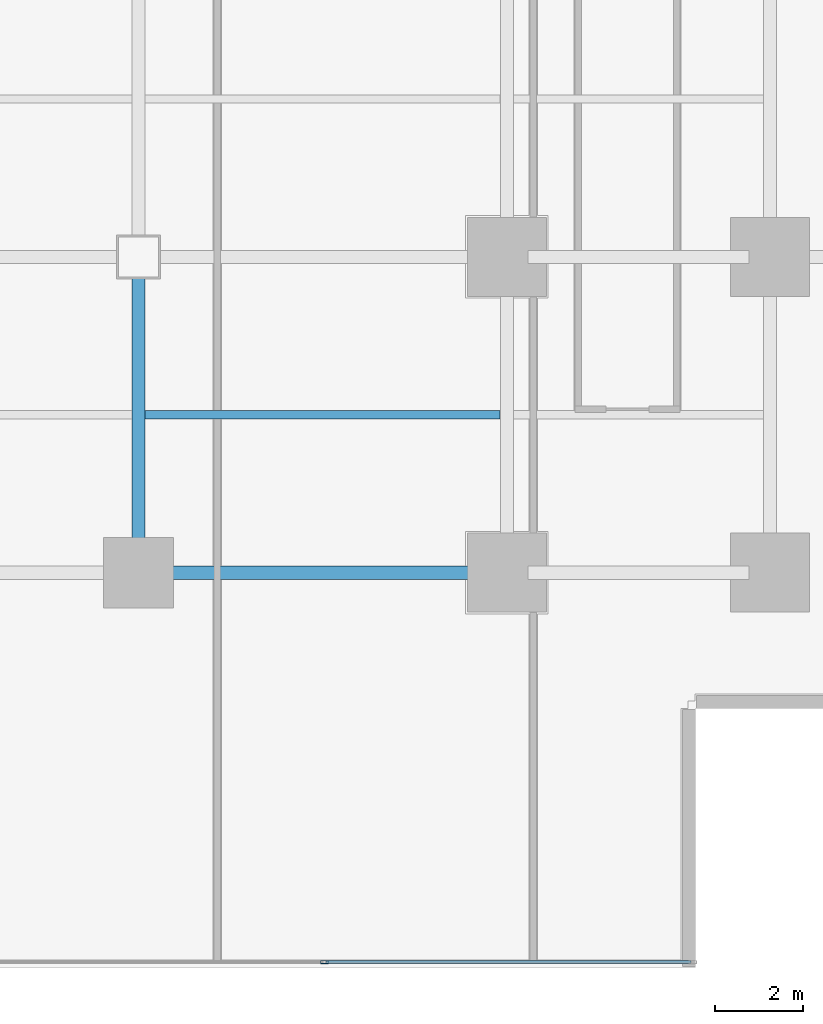
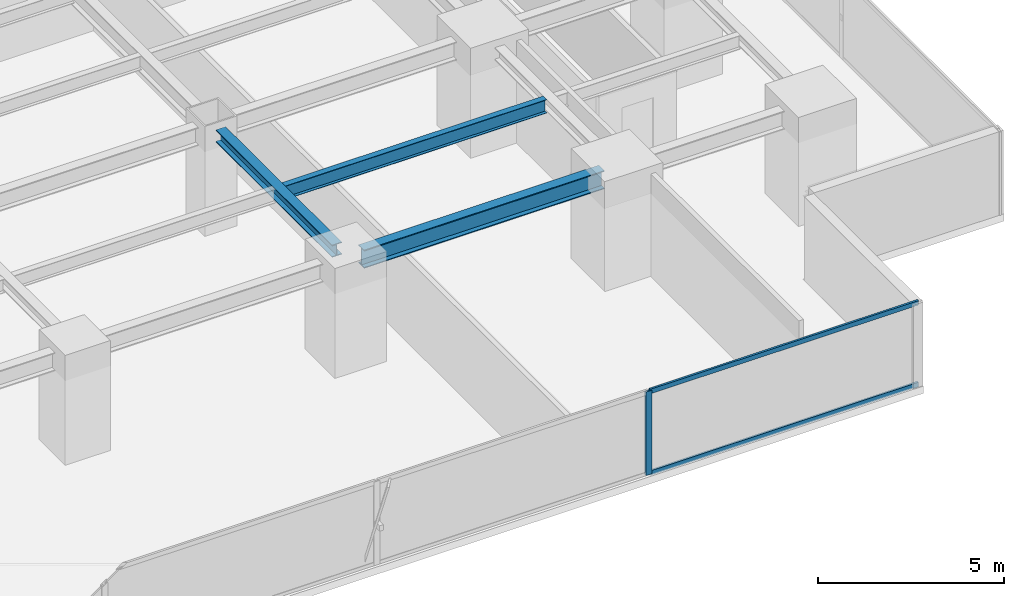
# One storey, part 11 of 32: 3 beams, 3 members, 1 element without a shape of its own.
"""IFC4 building model written with IfcOpenShell, lengths in metres."""

from ifc_helpers import new_model, si_unit, direction, frame, origin, origin_2d, place, context, subcontext, project, spatial, hollow_rectangle, i_section, extrude, source, transform, mapped, material, layer, layer_set, material_profile, profile_set, type_object, element, aggregate, save


model = new_model("IFC4")

# Units and contexts
model_context = context("Model", 3, precision=1e-05, world=origin(), true_north=direction((0.0, 1.0)))
body_context = subcontext(model_context, "Body", "Model", "MODEL_VIEW")
ifc_project = project(units=[si_unit("LENGTHUNIT", "METRE"), si_unit("AREAUNIT", "SQUARE_METRE"), si_unit("VOLUMEUNIT", "CUBIC_METRE"), si_unit("PLANEANGLEUNIT", "RADIAN"), si_unit("MASSUNIT", "GRAM", prefix="KILO")], contexts=[model_context])

# Site, building, storey
site_placement = place(None, origin())
site = spatial("IfcSite", under=ifc_project, at=site_placement, CompositionType="ELEMENT")
building_placement = place(site_placement, origin())
building = spatial("IfcBuilding", under=site, at=building_placement, Name="Sumidabori Civic Tower", CompositionType="ELEMENT")
storey_placement = place(building_placement, frame((0.0, 0.0, 45.199951171875)))
storey = spatial("IfcBuildingStorey", under=building, at=storey_placement, Name="L11", CompositionType="ELEMENT", Elevation=45.199951171875)

# Beams
ifc_material_1 = material(Name="Steel SN490", Category="steel")
ifc_material_profile_1 = material_profile(ifc_material_1, i_section(OverallWidth=0.300048828125, OverallDepth=0.60009765625, WebThickness=0.015380859375, FlangeThickness=0.030029296875, at=origin_2d()), Name="HE 600 B")
ifc_profile_set_1 = profile_set([ifc_material_profile_1], Name="Steel SN490")
beam_type_1 = type_object("IfcBeamType", Name="BM-GIRD-600", PredefinedType="BEAM", material=ifc_profile_set_1)
shared_shape_1 = source(origin(), body_context, "Body", "SweptSolid", [
    extrude(i_section(OverallWidth=0.300048828125, OverallDepth=0.60009765625, WebThickness=0.015380859375, FlangeThickness=0.030029296875, at=origin_2d()), origin(), (0.0, 0.0, 1.0), 7.440185546875),
])
beam_1_placement = place(storey_placement, frame((8.8798828125, -18.0, 3.06005859375), z_axis=(1.0, 0.0, 0.0), x_axis=(0.0, 1.0, 0.0)))
element("IfcBeam", 1, at=beam_1_placement, inside=storey, type_object=beam_type_1, Name="Primary Girder L11 GX-05", PredefinedType="BEAM", context=body_context, shape_type="MappedRepresentation", body=[
    mapped(shared_shape_1, transform((0.0, 0.0, 0.0), x_axis=(1.0, 0.0, 0.0), y_axis=(0.0, 1.0, 0.0), z_axis=(0.0, 0.0, 1.0), scale=1.0)),
])
ifc_material_profile_2 = material_profile(ifc_material_1, i_section(OverallWidth=0.300048828125, OverallDepth=0.39990234375, WebThickness=0.013427734375, FlangeThickness=0.02392578125, at=origin_2d()), Name="HE 400 B")
ifc_profile_set_2 = profile_set([ifc_material_profile_2], Name="Steel SN490")
beam_type_2 = type_object("IfcBeamType", Name="BM-GIRD-400", PredefinedType="BEAM", material=ifc_profile_set_2)
shared_shape_2 = source(origin(), body_context, "Body", "SweptSolid", [
    extrude(i_section(OverallWidth=0.300048828125, OverallDepth=0.39990234375, WebThickness=0.013427734375, FlangeThickness=0.02392578125, at=origin_2d()), origin(), (0.0, 0.0, 1.0), 6.239990234375),
])
beam_2_placement = place(storey_placement, frame((8.39990234375, -17.52001953125, 3.16015625), z_axis=(0.0, 1.0, 0.0), x_axis=(-1.0, 0.0, 0.0)))
element("IfcBeam", 2, at=beam_2_placement, inside=storey, type_object=beam_type_2, Name="Primary Girder L11 GY-33", PredefinedType="BEAM", context=body_context, shape_type="MappedRepresentation", body=[
    mapped(shared_shape_2, transform((0.0, 0.0, 0.0), x_axis=(1.0, 0.0, 0.0), y_axis=(0.0, 1.0, 0.0), z_axis=(0.0, 0.0, 1.0), scale=1.0)),
])
ifc_material_profile_3 = material_profile(ifc_material_1, i_section(OverallWidth=0.18994140625, OverallDepth=0.449951171875, WebThickness=0.009521484375, FlangeThickness=0.0146484375, at=origin_2d()), Name="IPE 450")
ifc_profile_set_3 = profile_set([ifc_material_profile_3], Name="Steel SN490")
beam_type_3 = type_object("IfcBeamType", Name="BM-JST-450", PredefinedType="JOIST", material=ifc_profile_set_3)
shared_shape_3 = source(origin(), body_context, "Body", "SweptSolid", [
    extrude(i_section(OverallWidth=0.18994140625, OverallDepth=0.449951171875, WebThickness=0.009521484375, FlangeThickness=0.0146484375, at=origin_2d()), origin(), (0.0, 0.0, 1.0), 8.099853515625),
])
beam_3_placement = place(storey_placement, frame((8.550048828125, -14.39990234375, 3.135009765625), z_axis=(1.0, 0.0, 0.0), x_axis=(0.0, 1.0, 0.0)))
element("IfcBeam", 3, at=beam_3_placement, inside=storey, type_object=beam_type_3, Name="South Bay Floor Joist L11 JSTS-64", PredefinedType="JOIST", context=body_context, shape_type="MappedRepresentation", body=[
    mapped(shared_shape_3, transform((0.0, 0.0, 0.0), x_axis=(1.0, 0.0, 0.0), y_axis=(0.0, 1.0, 0.0), z_axis=(0.0, 0.0, 1.0), scale=1.0)),
])

# Curtain wall, members
ifc_material_2 = material(Name="Anodised Bronze Aluminium AW-6063-T6", Category="aluminium")
ifc_layer = layer(ifc_material_2, 0.179931640625, Name="Anodised Bronze Aluminium AW-6063-T6")
ifc_layer_set = layer_set([ifc_layer], Name="Anodised Bronze Aluminium AW-6063-T6")
curtain_wall_type = type_object("IfcCurtainWallType", Name="CW-SYS-2", PredefinedType="NOTDEFINED", material=ifc_layer_set)
curtain_wall_placement = place(storey_placement, origin())
curtain_wall = element("IfcCurtainWall", 4, at=curtain_wall_placement, inside=storey, type_object=curtain_wall_type, Name="Curtain Wall CW:L11:R01", PredefinedType="NOTDEFINED")
ifc_material_profile_4 = material_profile(ifc_material_2, hollow_rectangle(XDim=0.070068359375, YDim=0.179931640625, WallThickness=0.006103515625, at=origin_2d()), Name="ALU MULLION 180x70")
ifc_profile_set_4 = profile_set([ifc_material_profile_4], Name="Anodised Bronze Aluminium AW-6063-T6")
member_type_1 = type_object("IfcMemberType", Name="CW-MUL-180", PredefinedType="MULLION", material=ifc_profile_set_4)
shared_shape_4 = source(origin(), body_context, "Body", "SweptSolid", [
    extrude(hollow_rectangle(XDim=0.070068359375, YDim=0.179931640625, WallThickness=0.006103515625, at=origin_2d()), origin(), (0.0, 0.0, 1.0), 2.739990234375),
])
member_1_placement = place(storey_placement, frame((12.64208984375, -26.8798828125, 0.0), z_axis=(0.0, 0.0, 1.0), x_axis=(0.0, 1.0, 0.0)))
member_1 = element("IfcMember", 5, at=member_1_placement, type_object=member_type_1, Name="CW-2 mullion 5", PredefinedType="MULLION", context=body_context, shape_type="MappedRepresentation", body=[
    mapped(shared_shape_4, transform((0.0, 0.0, 0.0), x_axis=(1.0, 0.0, 0.0), y_axis=(0.0, 1.0, 0.0), z_axis=(0.0, 0.0, 1.0), scale=1.0)),
])
ifc_material_profile_5 = material_profile(ifc_material_2, hollow_rectangle(XDim=0.06494140625, YDim=0.14990234375, WallThickness=0.0048828125, at=origin_2d()), Name="ALU TRANSOM 150x65")
ifc_profile_set_5 = profile_set([ifc_material_profile_5], Name="Anodised Bronze Aluminium AW-6063-T6")
member_type_2 = type_object("IfcMemberType", Name="CW-TRN-150", PredefinedType="USERDEFINED", material=ifc_profile_set_5)
shared_shape_5 = source(origin(), body_context, "Body", "SweptSolid", [
    extrude(hollow_rectangle(XDim=0.06494140625, YDim=0.14990234375, WallThickness=0.0048828125, at=origin_2d()), origin(), (0.0, 0.0, 1.0), 8.322998046875),
])
member_2_placement = place(storey_placement, frame((12.677001953125, -26.8798828125, 0.032470703125), z_axis=(1.0, 0.0, 0.0), x_axis=(0.0, 1.0, 0.0)))
member_2 = element("IfcMember", 6, at=member_2_placement, type_object=member_type_2, Name="CW-2 transom 5.1", ObjectType="TRANSOM", PredefinedType="USERDEFINED", context=body_context, shape_type="MappedRepresentation", body=[
    mapped(shared_shape_5, transform((0.0, 0.0, 0.0), x_axis=(1.0, 0.0, 0.0), y_axis=(0.0, 1.0, 0.0), z_axis=(0.0, 0.0, 1.0), scale=1.0)),
])
member_3_placement = place(storey_placement, frame((12.677001953125, -26.8798828125, 2.70751953125), z_axis=(1.0, 0.0, 0.0), x_axis=(0.0, 1.0, 0.0)))
member_3 = element("IfcMember", 7, at=member_3_placement, type_object=member_type_2, Name="CW-2 transom 5.2", ObjectType="TRANSOM", PredefinedType="USERDEFINED", context=body_context, shape_type="MappedRepresentation", body=[
    mapped(shared_shape_5, transform((0.0, 0.0, 0.0), x_axis=(1.0, 0.0, 0.0), y_axis=(0.0, 1.0, 0.0), z_axis=(0.0, 0.0, 1.0), scale=1.0)),
])
aggregate(curtain_wall, [member_1, member_2, member_3])

save(model, "model.ifc")
